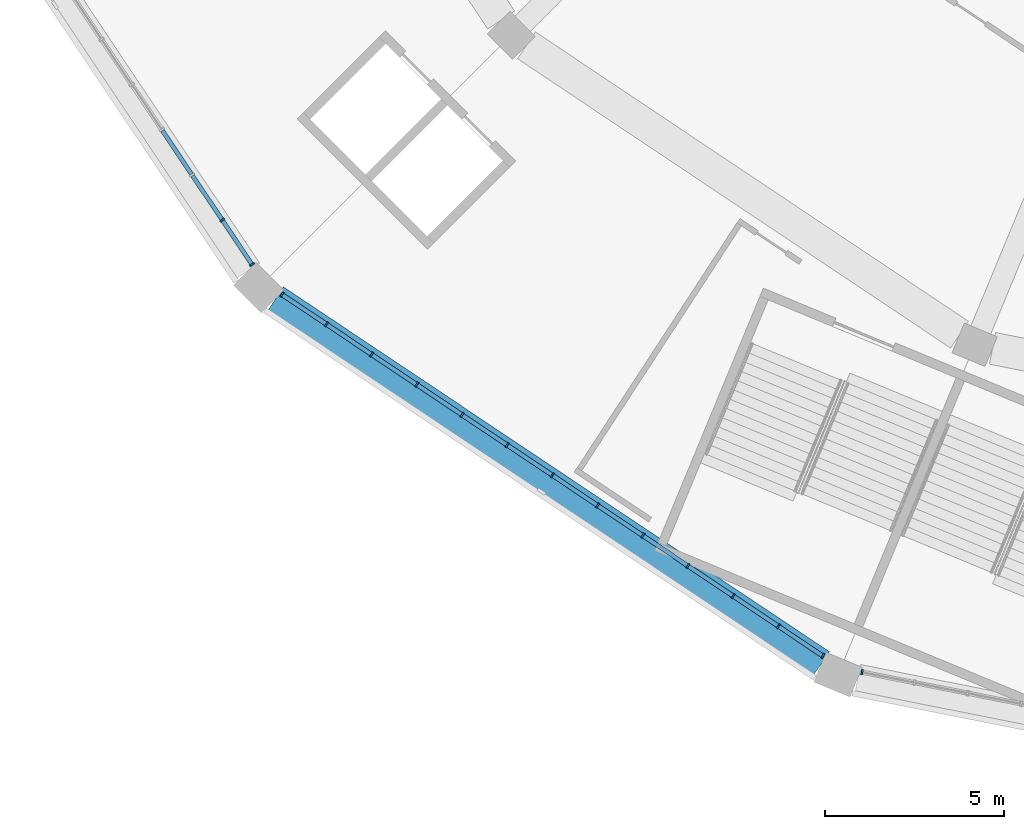
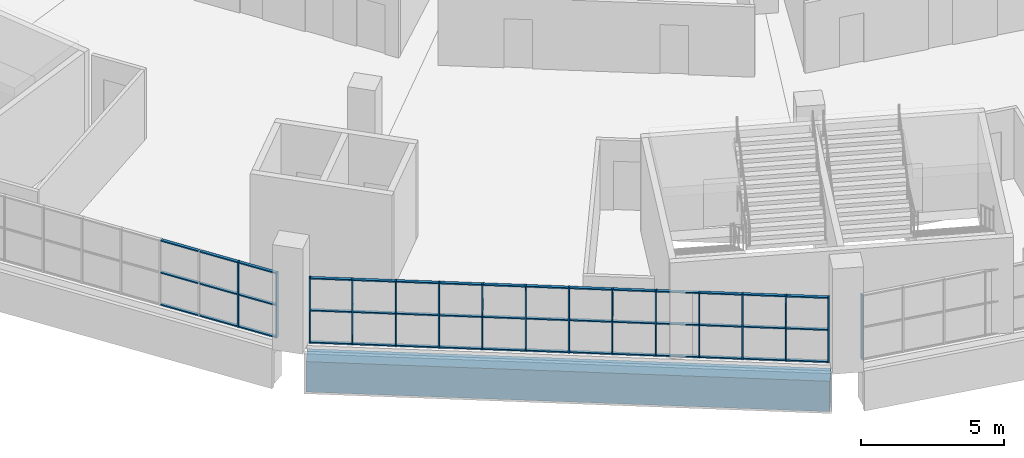
# One storey, part 2 of 199: 61 members, 1 beam, 3 elements without a shape of their own.
"""IFC4 building model written with IfcOpenShell, lengths in metres."""

from ifc_helpers import new_model, si_unit, direction, frame, origin, origin_2d, place, context, subcontext, project, spatial, rectangle, extrude, material, material_profile, profile_set, type_object, element, aggregate, save


model = new_model("IFC4")

# Units and contexts
model_context = context("Model", 3, precision=1e-05, world=origin(), true_north=direction((0.0, 1.0)))
body_context = subcontext(model_context, "Body", "Model", "MODEL_VIEW")
ifc_project = project(units=[si_unit("LENGTHUNIT", "METRE"), si_unit("AREAUNIT", "SQUARE_METRE"), si_unit("VOLUMEUNIT", "CUBIC_METRE"), si_unit("PLANEANGLEUNIT", "RADIAN"), si_unit("MASSUNIT", "GRAM", prefix="KILO")], contexts=[model_context])

# Site, building, storey
site_placement = place(None, origin())
site = spatial("IfcSite", under=ifc_project, at=site_placement, CompositionType="ELEMENT")
building_placement = place(site_placement, origin())
building = spatial("IfcBuilding", under=site, at=building_placement, Name="Ogive Plaza Stadium", CompositionType="ELEMENT")
storey_placement = place(building_placement, frame((0.0, 0.0, 4.5)))
storey = spatial("IfcBuildingStorey", under=building, at=storey_placement, Name="L01", CompositionType="ELEMENT", Elevation=4.5)

# Curtain wall, member
ifc_material_1 = material(Name="Bronze-anodised aluminium with laminated glass", Category="aluminium")
curtain_wall_type = type_object("IfcCurtainWallType", Name="Lancet curtain wall", PredefinedType="NOTDEFINED", material=ifc_material_1)
curtain_wall_1_placement = place(storey_placement, origin())
curtain_wall_1 = element("IfcCurtainWall", 1, at=curtain_wall_1_placement, inside=storey, type_object=curtain_wall_type, Name="CURTAIN WALL B17 L01", PredefinedType="NOTDEFINED")
ifc_material_2 = material(Name="Bronze-anodised aluminium", Category="aluminium")
ifc_material_profile_1 = material_profile(ifc_material_2, rectangle(XDim=0.14990234375, YDim=0.050048828125, at=origin_2d()), Name="AL 150x50")
ifc_profile_set_1 = profile_set([ifc_material_profile_1], Name="Bronze-anodised aluminium")
member_type_1 = type_object("IfcMemberType", Name="Curtain wall mullion 50x150", PredefinedType="MULLION", material=ifc_profile_set_1)
member_1_placement = place(storey_placement, frame((-52.462158203125, -98.623779296875, 0.0), z_axis=(0.0, 0.0, 1.0), x_axis=(-0.195090322033, -0.9807852804, 0.0)))
member_1 = element("IfcMember", 2, at=member_1_placement, type_object=member_type_1, Name="CW-B17-L01 mullion 13", PredefinedType="MULLION", context=body_context, shape_type="SweptSolid", body=[
    extrude(rectangle(XDim=0.14990234375, YDim=0.050048828125, at=origin_2d()), origin(), (0.0, 0.0, 1.0), 2.7900390625),
])
aggregate(curtain_wall_1, [member_1])

# Curtain wall, members
curtain_wall_2_placement = place(storey_placement, origin())
curtain_wall_2 = element("IfcCurtainWall", 3, at=curtain_wall_2_placement, inside=storey, type_object=curtain_wall_type, Name="CURTAIN WALL B18 L01", PredefinedType="NOTDEFINED")
member_2_placement = place(storey_placement, frame((-53.559814453125, -98.169189453125, 0.0), z_axis=(0.0, 0.0, 1.0), x_axis=(-0.55557023302, -0.831469612303, 0.0)))
member_2 = element("IfcMember", 4, at=member_2_placement, type_object=member_type_1, Name="CW-B18-L01 mullion 1", PredefinedType="MULLION", context=body_context, shape_type="SweptSolid", body=[
    extrude(rectangle(XDim=0.14990234375, YDim=0.050048828125, at=origin_2d()), origin(), (0.0, 0.0, 1.0), 2.7900390625),
])
member_3_placement = place(storey_placement, frame((-54.8046875, -97.337158203125, 0.0), z_axis=(0.0, 0.0, 1.0), x_axis=(-0.55557023302, -0.831469612303, 0.0)))
member_3 = element("IfcMember", 5, at=member_3_placement, type_object=member_type_1, Name="CW-B18-L01 mullion 2", PredefinedType="MULLION", context=body_context, shape_type="SweptSolid", body=[
    extrude(rectangle(XDim=0.14990234375, YDim=0.050048828125, at=origin_2d()), origin(), (0.0, 0.0, 1.0), 2.7900390625),
])
member_4_placement = place(storey_placement, frame((-56.070556640625, -96.491455078125, 0.0), z_axis=(0.0, 0.0, 1.0), x_axis=(-0.55557023302, -0.831469612303, 0.0)))
member_4 = element("IfcMember", 6, at=member_4_placement, type_object=member_type_1, Name="CW-B18-L01 mullion 3", PredefinedType="MULLION", context=body_context, shape_type="SweptSolid", body=[
    extrude(rectangle(XDim=0.14990234375, YDim=0.050048828125, at=origin_2d()), origin(), (0.0, 0.0, 1.0), 2.7900390625),
])
member_5_placement = place(storey_placement, frame((-57.336181640625, -95.645751953125, 0.0), z_axis=(0.0, 0.0, 1.0), x_axis=(-0.55557023302, -0.831469612303, 0.0)))
member_5 = element("IfcMember", 7, at=member_5_placement, type_object=member_type_1, Name="CW-B18-L01 mullion 4", PredefinedType="MULLION", context=body_context, shape_type="SweptSolid", body=[
    extrude(rectangle(XDim=0.14990234375, YDim=0.050048828125, at=origin_2d()), origin(), (0.0, 0.0, 1.0), 2.7900390625),
])
member_6_placement = place(storey_placement, frame((-58.60205078125, -94.7998046875, 0.0), z_axis=(0.0, 0.0, 1.0), x_axis=(-0.55557023302, -0.831469612303, 0.0)))
member_6 = element("IfcMember", 8, at=member_6_placement, type_object=member_type_1, Name="CW-B18-L01 mullion 5", PredefinedType="MULLION", context=body_context, shape_type="SweptSolid", body=[
    extrude(rectangle(XDim=0.14990234375, YDim=0.050048828125, at=origin_2d()), origin(), (0.0, 0.0, 1.0), 2.7900390625),
])
member_7_placement = place(storey_placement, frame((-59.867919921875, -93.9541015625, 0.0), z_axis=(0.0, 0.0, 1.0), x_axis=(-0.55557023302, -0.831469612303, 0.0)))
member_7 = element("IfcMember", 9, at=member_7_placement, type_object=member_type_1, Name="CW-B18-L01 mullion 6", PredefinedType="MULLION", context=body_context, shape_type="SweptSolid", body=[
    extrude(rectangle(XDim=0.14990234375, YDim=0.050048828125, at=origin_2d()), origin(), (0.0, 0.0, 1.0), 2.7900390625),
])
member_8_placement = place(storey_placement, frame((-61.133544921875, -93.1083984375, 0.0), z_axis=(0.0, 0.0, 1.0), x_axis=(-0.55557023302, -0.831469612303, 0.0)))
member_8 = element("IfcMember", 10, at=member_8_placement, type_object=member_type_1, Name="CW-B18-L01 mullion 7", PredefinedType="MULLION", context=body_context, shape_type="SweptSolid", body=[
    extrude(rectangle(XDim=0.14990234375, YDim=0.050048828125, at=origin_2d()), origin(), (0.0, 0.0, 1.0), 2.7900390625),
])
member_9_placement = place(storey_placement, frame((-62.3994140625, -92.2626953125, 0.0), z_axis=(0.0, 0.0, 1.0), x_axis=(-0.55557023302, -0.831469612303, 0.0)))
member_9 = element("IfcMember", 11, at=member_9_placement, type_object=member_type_1, Name="CW-B18-L01 mullion 8", PredefinedType="MULLION", context=body_context, shape_type="SweptSolid", body=[
    extrude(rectangle(XDim=0.14990234375, YDim=0.050048828125, at=origin_2d()), origin(), (0.0, 0.0, 1.0), 2.7900390625),
])
member_10_placement = place(storey_placement, frame((-63.665283203125, -91.416748046875, 0.0), z_axis=(0.0, 0.0, 1.0), x_axis=(-0.55557023302, -0.831469612303, 0.0)))
member_10 = element("IfcMember", 12, at=member_10_placement, type_object=member_type_1, Name="CW-B18-L01 mullion 9", PredefinedType="MULLION", context=body_context, shape_type="SweptSolid", body=[
    extrude(rectangle(XDim=0.14990234375, YDim=0.050048828125, at=origin_2d()), origin(), (0.0, 0.0, 1.0), 2.7900390625),
])
member_11_placement = place(storey_placement, frame((-64.930908203125, -90.571044921875, 0.0), z_axis=(0.0, 0.0, 1.0), x_axis=(-0.55557023302, -0.831469612303, 0.0)))
member_11 = element("IfcMember", 13, at=member_11_placement, type_object=member_type_1, Name="CW-B18-L01 mullion 10", PredefinedType="MULLION", context=body_context, shape_type="SweptSolid", body=[
    extrude(rectangle(XDim=0.14990234375, YDim=0.050048828125, at=origin_2d()), origin(), (0.0, 0.0, 1.0), 2.7900390625),
])
member_12_placement = place(storey_placement, frame((-66.19677734375, -89.725341796875, 0.0), z_axis=(0.0, 0.0, 1.0), x_axis=(-0.55557023302, -0.831469612303, 0.0)))
member_12 = element("IfcMember", 14, at=member_12_placement, type_object=member_type_1, Name="CW-B18-L01 mullion 11", PredefinedType="MULLION", context=body_context, shape_type="SweptSolid", body=[
    extrude(rectangle(XDim=0.14990234375, YDim=0.050048828125, at=origin_2d()), origin(), (0.0, 0.0, 1.0), 2.7900390625),
])
member_13_placement = place(storey_placement, frame((-67.462646484375, -88.879638671875, 0.0), z_axis=(0.0, 0.0, 1.0), x_axis=(-0.55557023302, -0.831469612303, 0.0)))
member_13 = element("IfcMember", 15, at=member_13_placement, type_object=member_type_1, Name="CW-B18-L01 mullion 12", PredefinedType="MULLION", context=body_context, shape_type="SweptSolid", body=[
    extrude(rectangle(XDim=0.14990234375, YDim=0.050048828125, at=origin_2d()), origin(), (0.0, 0.0, 1.0), 2.7900390625),
])
member_14_placement = place(storey_placement, frame((-68.70751953125, -88.047607421875, 0.0), z_axis=(0.0, 0.0, 1.0), x_axis=(-0.55557023302, -0.831469612303, 0.0)))
member_14 = element("IfcMember", 16, at=member_14_placement, type_object=member_type_1, Name="CW-B18-L01 mullion 13", PredefinedType="MULLION", context=body_context, shape_type="SweptSolid", body=[
    extrude(rectangle(XDim=0.14990234375, YDim=0.050048828125, at=origin_2d()), origin(), (0.0, 0.0, 1.0), 2.7900390625),
])

curtain_wall_3_placement = place(storey_placement, origin())
curtain_wall_3 = element("IfcCurtainWall", 17, at=curtain_wall_3_placement, inside=storey, type_object=curtain_wall_type, Name="CURTAIN WALL B19 L01", PredefinedType="NOTDEFINED")
member_15_placement = place(storey_placement, frame((-69.547607421875, -87.20751953125, 0.0), z_axis=(0.0, 0.0, 1.0), x_axis=(-0.831469612303, -0.55557023302, 0.0)))
member_15 = element("IfcMember", 18, at=member_15_placement, type_object=member_type_1, Name="CW-B19-L01 mullion 1", PredefinedType="MULLION", context=body_context, shape_type="SweptSolid", body=[
    extrude(rectangle(XDim=0.14990234375, YDim=0.050048828125, at=origin_2d()), origin(), (0.0, 0.0, 1.0), 2.7900390625),
])
member_16_placement = place(storey_placement, frame((-70.379638671875, -85.962646484375, 0.0), z_axis=(0.0, 0.0, 1.0), x_axis=(-0.831469612303, -0.55557023302, 0.0)))
member_16 = element("IfcMember", 19, at=member_16_placement, type_object=member_type_1, Name="CW-B19-L01 mullion 2", PredefinedType="MULLION", context=body_context, shape_type="SweptSolid", body=[
    extrude(rectangle(XDim=0.14990234375, YDim=0.050048828125, at=origin_2d()), origin(), (0.0, 0.0, 1.0), 2.7900390625),
])

# Member
ifc_material_3 = material(Name="Bronze-anodised aluminium", Category="aluminium")
ifc_material_profile_2 = material_profile(ifc_material_3, rectangle(XDim=0.1201171875, YDim=0.050048828125, at=origin_2d()), Name="AL 120x50")
ifc_profile_set_2 = profile_set([ifc_material_profile_2], Name="Bronze-anodised aluminium")
member_type_2 = type_object("IfcMemberType", Name="Curtain wall transom 50x120", PredefinedType="USERDEFINED", material=ifc_profile_set_2)
member_17_placement = place(storey_placement, frame((-53.58056640625, -98.1552734375, 0.02490234375), z_axis=(-0.831426948977, 0.555634077892, 0.0), x_axis=(-0.555634077892, -0.831426948977, 0.0)))
member_17 = element("IfcMember", 20, at=member_17_placement, type_object=member_type_2, Name="CW-B18-L01 transom 1.1", ObjectType="TRANSOM", PredefinedType="USERDEFINED", context=body_context, shape_type="SweptSolid", body=[
    extrude(rectangle(XDim=0.1201171875, YDim=0.050048828125, at=origin_2d()), origin(), (0.0, 0.0, 1.0), 1.447265625),
])

member_18_placement = place(storey_placement, frame((-53.58056640625, -98.1552734375, 1.39501953125), z_axis=(-0.831426948977, 0.555634077892, 0.0), x_axis=(-0.555634077892, -0.831426948977, 0.0)))
member_18 = element("IfcMember", 21, at=member_18_placement, type_object=member_type_2, Name="CW-B18-L01 transom 1.2", ObjectType="TRANSOM", PredefinedType="USERDEFINED", context=body_context, shape_type="SweptSolid", body=[
    extrude(rectangle(XDim=0.1201171875, YDim=0.050048828125, at=origin_2d()), origin(), (0.0, 0.0, 1.0), 1.447265625),
])

member_19_placement = place(storey_placement, frame((-53.58056640625, -98.1552734375, 2.764892578125), z_axis=(-0.831426948977, 0.555634077892, 0.0), x_axis=(-0.555634077892, -0.831426948977, 0.0)))
member_19 = element("IfcMember", 22, at=member_19_placement, type_object=member_type_2, Name="CW-B18-L01 transom 1.3", ObjectType="TRANSOM", PredefinedType="USERDEFINED", context=body_context, shape_type="SweptSolid", body=[
    extrude(rectangle(XDim=0.1201171875, YDim=0.050048828125, at=origin_2d()), origin(), (0.0, 0.0, 1.0), 1.447265625),
])

member_20_placement = place(storey_placement, frame((-54.825439453125, -97.3232421875, 0.02490234375), z_axis=(-0.83153975619, 0.555465240925, 0.0), x_axis=(-0.555465240925, -0.83153975619, 0.0)))
member_20 = element("IfcMember", 23, at=member_20_placement, type_object=member_type_2, Name="CW-B18-L01 transom 2.1", ObjectType="TRANSOM", PredefinedType="USERDEFINED", context=body_context, shape_type="SweptSolid", body=[
    extrude(rectangle(XDim=0.1201171875, YDim=0.050048828125, at=origin_2d()), origin(), (0.0, 0.0, 1.0), 1.472412109375),
])

member_21_placement = place(storey_placement, frame((-54.825439453125, -97.3232421875, 1.39501953125), z_axis=(-0.83153975619, 0.555465240925, 0.0), x_axis=(-0.555465240925, -0.83153975619, 0.0)))
member_21 = element("IfcMember", 24, at=member_21_placement, type_object=member_type_2, Name="CW-B18-L01 transom 2.2", ObjectType="TRANSOM", PredefinedType="USERDEFINED", context=body_context, shape_type="SweptSolid", body=[
    extrude(rectangle(XDim=0.1201171875, YDim=0.050048828125, at=origin_2d()), origin(), (0.0, 0.0, 1.0), 1.472412109375),
])

member_22_placement = place(storey_placement, frame((-54.825439453125, -97.3232421875, 2.764892578125), z_axis=(-0.83153975619, 0.555465240925, 0.0), x_axis=(-0.555465240925, -0.83153975619, 0.0)))
member_22 = element("IfcMember", 25, at=member_22_placement, type_object=member_type_2, Name="CW-B18-L01 transom 2.3", ObjectType="TRANSOM", PredefinedType="USERDEFINED", context=body_context, shape_type="SweptSolid", body=[
    extrude(rectangle(XDim=0.1201171875, YDim=0.050048828125, at=origin_2d()), origin(), (0.0, 0.0, 1.0), 1.472412109375),
])

member_23_placement = place(storey_placement, frame((-56.09130859375, -96.4775390625, 0.02490234375), z_axis=(-0.831488586159, 0.555541835587, 0.0), x_axis=(-0.555541835587, -0.831488586159, 0.0)))
member_23 = element("IfcMember", 26, at=member_23_placement, type_object=member_type_2, Name="CW-B18-L01 transom 3.1", ObjectType="TRANSOM", PredefinedType="USERDEFINED", context=body_context, shape_type="SweptSolid", body=[
    extrude(rectangle(XDim=0.1201171875, YDim=0.050048828125, at=origin_2d()), origin(), (0.0, 0.0, 1.0), 1.47216796875),
])

member_24_placement = place(storey_placement, frame((-56.09130859375, -96.4775390625, 1.39501953125), z_axis=(-0.831488586159, 0.555541835587, 0.0), x_axis=(-0.555541835587, -0.831488586159, 0.0)))
member_24 = element("IfcMember", 27, at=member_24_placement, type_object=member_type_2, Name="CW-B18-L01 transom 3.2", ObjectType="TRANSOM", PredefinedType="USERDEFINED", context=body_context, shape_type="SweptSolid", body=[
    extrude(rectangle(XDim=0.1201171875, YDim=0.050048828125, at=origin_2d()), origin(), (0.0, 0.0, 1.0), 1.47216796875),
])

member_25_placement = place(storey_placement, frame((-56.09130859375, -96.4775390625, 2.764892578125), z_axis=(-0.831488586159, 0.555541835587, 0.0), x_axis=(-0.555541835587, -0.831488586159, 0.0)))
member_25 = element("IfcMember", 28, at=member_25_placement, type_object=member_type_2, Name="CW-B18-L01 transom 3.3", ObjectType="TRANSOM", PredefinedType="USERDEFINED", context=body_context, shape_type="SweptSolid", body=[
    extrude(rectangle(XDim=0.1201171875, YDim=0.050048828125, at=origin_2d()), origin(), (0.0, 0.0, 1.0), 1.47216796875),
])

member_26_placement = place(storey_placement, frame((-57.357177734375, -95.6318359375, 0.02490234375), z_axis=(-0.831411982446, 0.555656472512, 0.0), x_axis=(-0.555656472512, -0.831411982446, 0.0)))
member_26 = element("IfcMember", 29, at=member_26_placement, type_object=member_type_2, Name="CW-B18-L01 transom 4.1", ObjectType="TRANSOM", PredefinedType="USERDEFINED", context=body_context, shape_type="SweptSolid", body=[
    extrude(rectangle(XDim=0.1201171875, YDim=0.050048828125, at=origin_2d()), origin(), (0.0, 0.0, 1.0), 1.472412109375),
])

member_27_placement = place(storey_placement, frame((-57.357177734375, -95.6318359375, 1.39501953125), z_axis=(-0.831411982446, 0.555656472512, 0.0), x_axis=(-0.555656472512, -0.831411982446, 0.0)))
member_27 = element("IfcMember", 30, at=member_27_placement, type_object=member_type_2, Name="CW-B18-L01 transom 4.2", ObjectType="TRANSOM", PredefinedType="USERDEFINED", context=body_context, shape_type="SweptSolid", body=[
    extrude(rectangle(XDim=0.1201171875, YDim=0.050048828125, at=origin_2d()), origin(), (0.0, 0.0, 1.0), 1.472412109375),
])

member_28_placement = place(storey_placement, frame((-57.357177734375, -95.6318359375, 2.764892578125), z_axis=(-0.831411982446, 0.555656472512, 0.0), x_axis=(-0.555656472512, -0.831411982446, 0.0)))
member_28 = element("IfcMember", 31, at=member_28_placement, type_object=member_type_2, Name="CW-B18-L01 transom 4.3", ObjectType="TRANSOM", PredefinedType="USERDEFINED", context=body_context, shape_type="SweptSolid", body=[
    extrude(rectangle(XDim=0.1201171875, YDim=0.050048828125, at=origin_2d()), origin(), (0.0, 0.0, 1.0), 1.472412109375),
])

member_29_placement = place(storey_placement, frame((-58.622802734375, -94.7861328125, 0.02490234375), z_axis=(-0.831463168883, 0.555579876157, 0.0), x_axis=(-0.555579876157, -0.831463168883, 0.0)))
member_29 = element("IfcMember", 32, at=member_29_placement, type_object=member_type_2, Name="CW-B18-L01 transom 5.1", ObjectType="TRANSOM", PredefinedType="USERDEFINED", context=body_context, shape_type="SweptSolid", body=[
    extrude(rectangle(XDim=0.1201171875, YDim=0.050048828125, at=origin_2d()), origin(), (0.0, 0.0, 1.0), 1.47265625),
])

member_30_placement = place(storey_placement, frame((-58.622802734375, -94.7861328125, 1.39501953125), z_axis=(-0.831463168883, 0.555579876157, 0.0), x_axis=(-0.555579876157, -0.831463168883, 0.0)))
member_30 = element("IfcMember", 33, at=member_30_placement, type_object=member_type_2, Name="CW-B18-L01 transom 5.2", ObjectType="TRANSOM", PredefinedType="USERDEFINED", context=body_context, shape_type="SweptSolid", body=[
    extrude(rectangle(XDim=0.1201171875, YDim=0.050048828125, at=origin_2d()), origin(), (0.0, 0.0, 1.0), 1.47265625),
])

member_31_placement = place(storey_placement, frame((-58.622802734375, -94.7861328125, 2.764892578125), z_axis=(-0.831463168883, 0.555579876157, 0.0), x_axis=(-0.555579876157, -0.831463168883, 0.0)))
member_31 = element("IfcMember", 34, at=member_31_placement, type_object=member_type_2, Name="CW-B18-L01 transom 5.3", ObjectType="TRANSOM", PredefinedType="USERDEFINED", context=body_context, shape_type="SweptSolid", body=[
    extrude(rectangle(XDim=0.1201171875, YDim=0.050048828125, at=origin_2d()), origin(), (0.0, 0.0, 1.0), 1.47265625),
])

member_32_placement = place(storey_placement, frame((-59.888671875, -93.940185546875, 0.02490234375), z_axis=(-0.831488586159, 0.555541835587, 0.0), x_axis=(-0.555541835587, -0.831488586159, 0.0)))
member_32 = element("IfcMember", 35, at=member_32_placement, type_object=member_type_2, Name="CW-B18-L01 transom 6.1", ObjectType="TRANSOM", PredefinedType="USERDEFINED", context=body_context, shape_type="SweptSolid", body=[
    extrude(rectangle(XDim=0.1201171875, YDim=0.050048828125, at=origin_2d()), origin(), (0.0, 0.0, 1.0), 1.47216796875),
])

member_33_placement = place(storey_placement, frame((-59.888671875, -93.940185546875, 1.39501953125), z_axis=(-0.831488586159, 0.555541835587, 0.0), x_axis=(-0.555541835587, -0.831488586159, 0.0)))
member_33 = element("IfcMember", 36, at=member_33_placement, type_object=member_type_2, Name="CW-B18-L01 transom 6.2", ObjectType="TRANSOM", PredefinedType="USERDEFINED", context=body_context, shape_type="SweptSolid", body=[
    extrude(rectangle(XDim=0.1201171875, YDim=0.050048828125, at=origin_2d()), origin(), (0.0, 0.0, 1.0), 1.47216796875),
])

member_34_placement = place(storey_placement, frame((-59.888671875, -93.940185546875, 2.764892578125), z_axis=(-0.831488586159, 0.555541835587, 0.0), x_axis=(-0.555541835587, -0.831488586159, 0.0)))
member_34 = element("IfcMember", 37, at=member_34_placement, type_object=member_type_2, Name="CW-B18-L01 transom 6.3", ObjectType="TRANSOM", PredefinedType="USERDEFINED", context=body_context, shape_type="SweptSolid", body=[
    extrude(rectangle(XDim=0.1201171875, YDim=0.050048828125, at=origin_2d()), origin(), (0.0, 0.0, 1.0), 1.47216796875),
])

member_35_placement = place(storey_placement, frame((-61.154541015625, -93.094482421875, 0.02490234375), z_axis=(-0.831411982446, 0.555656472512, 0.0), x_axis=(-0.555656472512, -0.831411982446, 0.0)))
member_35 = element("IfcMember", 38, at=member_35_placement, type_object=member_type_2, Name="CW-B18-L01 transom 7.1", ObjectType="TRANSOM", PredefinedType="USERDEFINED", context=body_context, shape_type="SweptSolid", body=[
    extrude(rectangle(XDim=0.1201171875, YDim=0.050048828125, at=origin_2d()), origin(), (0.0, 0.0, 1.0), 1.472412109375),
])

member_36_placement = place(storey_placement, frame((-61.154541015625, -93.094482421875, 1.39501953125), z_axis=(-0.831411982446, 0.555656472512, 0.0), x_axis=(-0.555656472512, -0.831411982446, 0.0)))
member_36 = element("IfcMember", 39, at=member_36_placement, type_object=member_type_2, Name="CW-B18-L01 transom 7.2", ObjectType="TRANSOM", PredefinedType="USERDEFINED", context=body_context, shape_type="SweptSolid", body=[
    extrude(rectangle(XDim=0.1201171875, YDim=0.050048828125, at=origin_2d()), origin(), (0.0, 0.0, 1.0), 1.472412109375),
])

member_37_placement = place(storey_placement, frame((-61.154541015625, -93.094482421875, 2.764892578125), z_axis=(-0.831411982446, 0.555656472512, 0.0), x_axis=(-0.555656472512, -0.831411982446, 0.0)))
member_37 = element("IfcMember", 40, at=member_37_placement, type_object=member_type_2, Name="CW-B18-L01 transom 7.3", ObjectType="TRANSOM", PredefinedType="USERDEFINED", context=body_context, shape_type="SweptSolid", body=[
    extrude(rectangle(XDim=0.1201171875, YDim=0.050048828125, at=origin_2d()), origin(), (0.0, 0.0, 1.0), 1.472412109375),
])

member_38_placement = place(storey_placement, frame((-62.420166015625, -92.248779296875, 0.02490234375), z_axis=(-0.831463168883, 0.555579876157, 0.0), x_axis=(-0.555579876157, -0.831463168883, 0.0)))
member_38 = element("IfcMember", 41, at=member_38_placement, type_object=member_type_2, Name="CW-B18-L01 transom 8.1", ObjectType="TRANSOM", PredefinedType="USERDEFINED", context=body_context, shape_type="SweptSolid", body=[
    extrude(rectangle(XDim=0.1201171875, YDim=0.050048828125, at=origin_2d()), origin(), (0.0, 0.0, 1.0), 1.47265625),
])

member_39_placement = place(storey_placement, frame((-62.420166015625, -92.248779296875, 1.39501953125), z_axis=(-0.831463168883, 0.555579876157, 0.0), x_axis=(-0.555579876157, -0.831463168883, 0.0)))
member_39 = element("IfcMember", 42, at=member_39_placement, type_object=member_type_2, Name="CW-B18-L01 transom 8.2", ObjectType="TRANSOM", PredefinedType="USERDEFINED", context=body_context, shape_type="SweptSolid", body=[
    extrude(rectangle(XDim=0.1201171875, YDim=0.050048828125, at=origin_2d()), origin(), (0.0, 0.0, 1.0), 1.47265625),
])

member_40_placement = place(storey_placement, frame((-62.420166015625, -92.248779296875, 2.764892578125), z_axis=(-0.831463168883, 0.555579876157, 0.0), x_axis=(-0.555579876157, -0.831463168883, 0.0)))
member_40 = element("IfcMember", 43, at=member_40_placement, type_object=member_type_2, Name="CW-B18-L01 transom 8.3", ObjectType="TRANSOM", PredefinedType="USERDEFINED", context=body_context, shape_type="SweptSolid", body=[
    extrude(rectangle(XDim=0.1201171875, YDim=0.050048828125, at=origin_2d()), origin(), (0.0, 0.0, 1.0), 1.47265625),
])

member_41_placement = place(storey_placement, frame((-63.68603515625, -91.40283203125, 0.02490234375), z_axis=(-0.831488586159, 0.555541835587, 0.0), x_axis=(-0.555541835587, -0.831488586159, 0.0)))
member_41 = element("IfcMember", 44, at=member_41_placement, type_object=member_type_2, Name="CW-B18-L01 transom 9.1", ObjectType="TRANSOM", PredefinedType="USERDEFINED", context=body_context, shape_type="SweptSolid", body=[
    extrude(rectangle(XDim=0.1201171875, YDim=0.050048828125, at=origin_2d()), origin(), (0.0, 0.0, 1.0), 1.47216796875),
])

member_42_placement = place(storey_placement, frame((-63.68603515625, -91.40283203125, 1.39501953125), z_axis=(-0.831488586159, 0.555541835587, 0.0), x_axis=(-0.555541835587, -0.831488586159, 0.0)))
member_42 = element("IfcMember", 45, at=member_42_placement, type_object=member_type_2, Name="CW-B18-L01 transom 9.2", ObjectType="TRANSOM", PredefinedType="USERDEFINED", context=body_context, shape_type="SweptSolid", body=[
    extrude(rectangle(XDim=0.1201171875, YDim=0.050048828125, at=origin_2d()), origin(), (0.0, 0.0, 1.0), 1.47216796875),
])

member_43_placement = place(storey_placement, frame((-63.68603515625, -91.40283203125, 2.764892578125), z_axis=(-0.831488586159, 0.555541835587, 0.0), x_axis=(-0.555541835587, -0.831488586159, 0.0)))
member_43 = element("IfcMember", 46, at=member_43_placement, type_object=member_type_2, Name="CW-B18-L01 transom 9.3", ObjectType="TRANSOM", PredefinedType="USERDEFINED", context=body_context, shape_type="SweptSolid", body=[
    extrude(rectangle(XDim=0.1201171875, YDim=0.050048828125, at=origin_2d()), origin(), (0.0, 0.0, 1.0), 1.47216796875),
])

member_44_placement = place(storey_placement, frame((-64.95166015625, -90.55712890625, 0.02490234375), z_axis=(-0.83153975619, 0.555465240925, 0.0), x_axis=(-0.555465240925, -0.83153975619, 0.0)))
member_44 = element("IfcMember", 47, at=member_44_placement, type_object=member_type_2, Name="CW-B18-L01 transom 10.1", ObjectType="TRANSOM", PredefinedType="USERDEFINED", context=body_context, shape_type="SweptSolid", body=[
    extrude(rectangle(XDim=0.1201171875, YDim=0.050048828125, at=origin_2d()), origin(), (0.0, 0.0, 1.0), 1.472412109375),
])

member_45_placement = place(storey_placement, frame((-64.95166015625, -90.55712890625, 1.39501953125), z_axis=(-0.83153975619, 0.555465240925, 0.0), x_axis=(-0.555465240925, -0.83153975619, 0.0)))
member_45 = element("IfcMember", 48, at=member_45_placement, type_object=member_type_2, Name="CW-B18-L01 transom 10.2", ObjectType="TRANSOM", PredefinedType="USERDEFINED", context=body_context, shape_type="SweptSolid", body=[
    extrude(rectangle(XDim=0.1201171875, YDim=0.050048828125, at=origin_2d()), origin(), (0.0, 0.0, 1.0), 1.472412109375),
])

member_46_placement = place(storey_placement, frame((-64.95166015625, -90.55712890625, 2.764892578125), z_axis=(-0.83153975619, 0.555465240925, 0.0), x_axis=(-0.555465240925, -0.83153975619, 0.0)))
member_46 = element("IfcMember", 49, at=member_46_placement, type_object=member_type_2, Name="CW-B18-L01 transom 10.3", ObjectType="TRANSOM", PredefinedType="USERDEFINED", context=body_context, shape_type="SweptSolid", body=[
    extrude(rectangle(XDim=0.1201171875, YDim=0.050048828125, at=origin_2d()), origin(), (0.0, 0.0, 1.0), 1.472412109375),
])

member_47_placement = place(storey_placement, frame((-66.217529296875, -89.71142578125, 0.02490234375), z_axis=(-0.831411982446, 0.555656472512, 0.0), x_axis=(-0.555656472512, -0.831411982446, 0.0)))
member_47 = element("IfcMember", 50, at=member_47_placement, type_object=member_type_2, Name="CW-B18-L01 transom 11.1", ObjectType="TRANSOM", PredefinedType="USERDEFINED", context=body_context, shape_type="SweptSolid", body=[
    extrude(rectangle(XDim=0.1201171875, YDim=0.050048828125, at=origin_2d()), origin(), (0.0, 0.0, 1.0), 1.472412109375),
])

member_48_placement = place(storey_placement, frame((-66.217529296875, -89.71142578125, 1.39501953125), z_axis=(-0.831411982446, 0.555656472512, 0.0), x_axis=(-0.555656472512, -0.831411982446, 0.0)))
member_48 = element("IfcMember", 51, at=member_48_placement, type_object=member_type_2, Name="CW-B18-L01 transom 11.2", ObjectType="TRANSOM", PredefinedType="USERDEFINED", context=body_context, shape_type="SweptSolid", body=[
    extrude(rectangle(XDim=0.1201171875, YDim=0.050048828125, at=origin_2d()), origin(), (0.0, 0.0, 1.0), 1.472412109375),
])

member_49_placement = place(storey_placement, frame((-66.217529296875, -89.71142578125, 2.764892578125), z_axis=(-0.831411982446, 0.555656472512, 0.0), x_axis=(-0.555656472512, -0.831411982446, 0.0)))
member_49 = element("IfcMember", 52, at=member_49_placement, type_object=member_type_2, Name="CW-B18-L01 transom 11.3", ObjectType="TRANSOM", PredefinedType="USERDEFINED", context=body_context, shape_type="SweptSolid", body=[
    extrude(rectangle(XDim=0.1201171875, YDim=0.050048828125, at=origin_2d()), origin(), (0.0, 0.0, 1.0), 1.472412109375),
])

member_50_placement = place(storey_placement, frame((-67.4833984375, -88.86572265625, 0.02490234375), z_axis=(-0.831426948977, 0.555634077892, 0.0), x_axis=(-0.555634077892, -0.831426948977, 0.0)))
member_50 = element("IfcMember", 53, at=member_50_placement, type_object=member_type_2, Name="CW-B18-L01 transom 12.1", ObjectType="TRANSOM", PredefinedType="USERDEFINED", context=body_context, shape_type="SweptSolid", body=[
    extrude(rectangle(XDim=0.1201171875, YDim=0.050048828125, at=origin_2d()), origin(), (0.0, 0.0, 1.0), 1.447265625),
])

member_51_placement = place(storey_placement, frame((-67.4833984375, -88.86572265625, 1.39501953125), z_axis=(-0.831426948977, 0.555634077892, 0.0), x_axis=(-0.555634077892, -0.831426948977, 0.0)))
member_51 = element("IfcMember", 54, at=member_51_placement, type_object=member_type_2, Name="CW-B18-L01 transom 12.2", ObjectType="TRANSOM", PredefinedType="USERDEFINED", context=body_context, shape_type="SweptSolid", body=[
    extrude(rectangle(XDim=0.1201171875, YDim=0.050048828125, at=origin_2d()), origin(), (0.0, 0.0, 1.0), 1.447265625),
])

member_52_placement = place(storey_placement, frame((-67.4833984375, -88.86572265625, 2.764892578125), z_axis=(-0.831426948977, 0.555634077892, 0.0), x_axis=(-0.555634077892, -0.831426948977, 0.0)))
member_52 = element("IfcMember", 55, at=member_52_placement, type_object=member_type_2, Name="CW-B18-L01 transom 12.3", ObjectType="TRANSOM", PredefinedType="USERDEFINED", context=body_context, shape_type="SweptSolid", body=[
    extrude(rectangle(XDim=0.1201171875, YDim=0.050048828125, at=origin_2d()), origin(), (0.0, 0.0, 1.0), 1.447265625),
])

aggregate(curtain_wall_2, [member_2, member_3, member_4, member_5, member_6, member_7, member_8, member_9, member_10, member_11, member_12, member_13, member_14, member_17, member_18, member_19, member_20, member_21, member_22, member_23, member_24, member_25, member_26, member_27, member_28, member_29, member_30, member_31, member_32, member_33, member_34, member_35, member_36, member_37, member_38, member_39, member_40, member_41, member_42, member_43, member_44, member_45, member_46, member_47, member_48, member_49, member_50, member_51, member_52])

member_53_placement = place(storey_placement, frame((-69.5615234375, -87.186767578125, 0.02490234375), z_axis=(-0.555634077892, 0.831426948977, 0.0), x_axis=(-0.831426948977, -0.555634077892, 0.0)))
member_53 = element("IfcMember", 56, at=member_53_placement, type_object=member_type_2, Name="CW-B19-L01 transom 1.1", ObjectType="TRANSOM", PredefinedType="USERDEFINED", context=body_context, shape_type="SweptSolid", body=[
    extrude(rectangle(XDim=0.1201171875, YDim=0.050048828125, at=origin_2d()), origin(), (0.0, 0.0, 1.0), 1.447265625),
])

member_54_placement = place(storey_placement, frame((-69.5615234375, -87.186767578125, 1.39501953125), z_axis=(-0.555634077892, 0.831426948977, 0.0), x_axis=(-0.831426948977, -0.555634077892, 0.0)))
member_54 = element("IfcMember", 57, at=member_54_placement, type_object=member_type_2, Name="CW-B19-L01 transom 1.2", ObjectType="TRANSOM", PredefinedType="USERDEFINED", context=body_context, shape_type="SweptSolid", body=[
    extrude(rectangle(XDim=0.1201171875, YDim=0.050048828125, at=origin_2d()), origin(), (0.0, 0.0, 1.0), 1.447265625),
])

member_55_placement = place(storey_placement, frame((-69.5615234375, -87.186767578125, 2.764892578125), z_axis=(-0.555634077892, 0.831426948977, 0.0), x_axis=(-0.831426948977, -0.555634077892, 0.0)))
member_55 = element("IfcMember", 58, at=member_55_placement, type_object=member_type_2, Name="CW-B19-L01 transom 1.3", ObjectType="TRANSOM", PredefinedType="USERDEFINED", context=body_context, shape_type="SweptSolid", body=[
    extrude(rectangle(XDim=0.1201171875, YDim=0.050048828125, at=origin_2d()), origin(), (0.0, 0.0, 1.0), 1.447265625),
])

member_56_placement = place(storey_placement, frame((-70.393310546875, -85.941650390625, 0.02490234375), z_axis=(-0.555656472512, 0.831411982446, 0.0), x_axis=(-0.831411982446, -0.555656472512, 0.0)))
member_56 = element("IfcMember", 59, at=member_56_placement, type_object=member_type_2, Name="CW-B19-L01 transom 2.1", ObjectType="TRANSOM", PredefinedType="USERDEFINED", context=body_context, shape_type="SweptSolid", body=[
    extrude(rectangle(XDim=0.1201171875, YDim=0.050048828125, at=origin_2d()), origin(), (0.0, 0.0, 1.0), 1.472412109375),
])

member_57_placement = place(storey_placement, frame((-70.393310546875, -85.941650390625, 1.39501953125), z_axis=(-0.555656472512, 0.831411982446, 0.0), x_axis=(-0.831411982446, -0.555656472512, 0.0)))
member_57 = element("IfcMember", 60, at=member_57_placement, type_object=member_type_2, Name="CW-B19-L01 transom 2.2", ObjectType="TRANSOM", PredefinedType="USERDEFINED", context=body_context, shape_type="SweptSolid", body=[
    extrude(rectangle(XDim=0.1201171875, YDim=0.050048828125, at=origin_2d()), origin(), (0.0, 0.0, 1.0), 1.472412109375),
])

member_58_placement = place(storey_placement, frame((-70.393310546875, -85.941650390625, 2.764892578125), z_axis=(-0.555656472512, 0.831411982446, 0.0), x_axis=(-0.831411982446, -0.555656472512, 0.0)))
member_58 = element("IfcMember", 61, at=member_58_placement, type_object=member_type_2, Name="CW-B19-L01 transom 2.3", ObjectType="TRANSOM", PredefinedType="USERDEFINED", context=body_context, shape_type="SweptSolid", body=[
    extrude(rectangle(XDim=0.1201171875, YDim=0.050048828125, at=origin_2d()), origin(), (0.0, 0.0, 1.0), 1.472412109375),
])

member_59_placement = place(storey_placement, frame((-71.2392578125, -84.676025390625, 0.02490234375), z_axis=(-0.555465240925, 0.83153975619, 0.0), x_axis=(-0.83153975619, -0.555465240925, 0.0)))
member_59 = element("IfcMember", 62, at=member_59_placement, type_object=member_type_2, Name="CW-B19-L01 transom 3.1", ObjectType="TRANSOM", PredefinedType="USERDEFINED", context=body_context, shape_type="SweptSolid", body=[
    extrude(rectangle(XDim=0.1201171875, YDim=0.050048828125, at=origin_2d()), origin(), (0.0, 0.0, 1.0), 1.472412109375),
])

member_60_placement = place(storey_placement, frame((-71.2392578125, -84.676025390625, 1.39501953125), z_axis=(-0.555465240925, 0.83153975619, 0.0), x_axis=(-0.83153975619, -0.555465240925, 0.0)))
member_60 = element("IfcMember", 63, at=member_60_placement, type_object=member_type_2, Name="CW-B19-L01 transom 3.2", ObjectType="TRANSOM", PredefinedType="USERDEFINED", context=body_context, shape_type="SweptSolid", body=[
    extrude(rectangle(XDim=0.1201171875, YDim=0.050048828125, at=origin_2d()), origin(), (0.0, 0.0, 1.0), 1.472412109375),
])

member_61_placement = place(storey_placement, frame((-71.2392578125, -84.676025390625, 2.764892578125), z_axis=(-0.555465240925, 0.83153975619, 0.0), x_axis=(-0.83153975619, -0.555465240925, 0.0)))
member_61 = element("IfcMember", 64, at=member_61_placement, type_object=member_type_2, Name="CW-B19-L01 transom 3.3", ObjectType="TRANSOM", PredefinedType="USERDEFINED", context=body_context, shape_type="SweptSolid", body=[
    extrude(rectangle(XDim=0.1201171875, YDim=0.050048828125, at=origin_2d()), origin(), (0.0, 0.0, 1.0), 1.472412109375),
])

aggregate(curtain_wall_3, [member_15, member_16, member_53, member_54, member_55, member_56, member_57, member_58, member_59, member_60, member_61])

# Beam
ifc_material_4 = material(Name="Concrete C40/50", Category="concrete")
ifc_material_profile_3 = material_profile(ifc_material_4, rectangle(XDim=0.800048828125, YDim=1.300048828125, at=origin_2d()), Name="RC 800x1300")
ifc_profile_set_3 = profile_set([ifc_material_profile_3], Name="Concrete C40/50")
beam_type = type_object("IfcBeamType", Name="RC spandrel beam 800x1300", PredefinedType="SPANDREL", material=ifc_profile_set_3)
beam_placement = place(storey_placement, frame((-53.600341796875, -98.38232421875, -1.06005859375), z_axis=(-0.831477897484, 0.555557833169, 0.0), x_axis=(-0.555557833169, -0.831477897484, 0.0)))
element("IfcBeam", 65, at=beam_placement, inside=storey, type_object=beam_type, Name="Ring beam F5 L01 B18", PredefinedType="SPANDREL", context=body_context, shape_type="SweptSolid", body=[
    extrude(rectangle(XDim=0.800048828125, YDim=1.300048828125, at=origin_2d()), origin(), (0.0, 0.0, 1.0), 18.387451171875),
])

save(model, "model.ifc")
